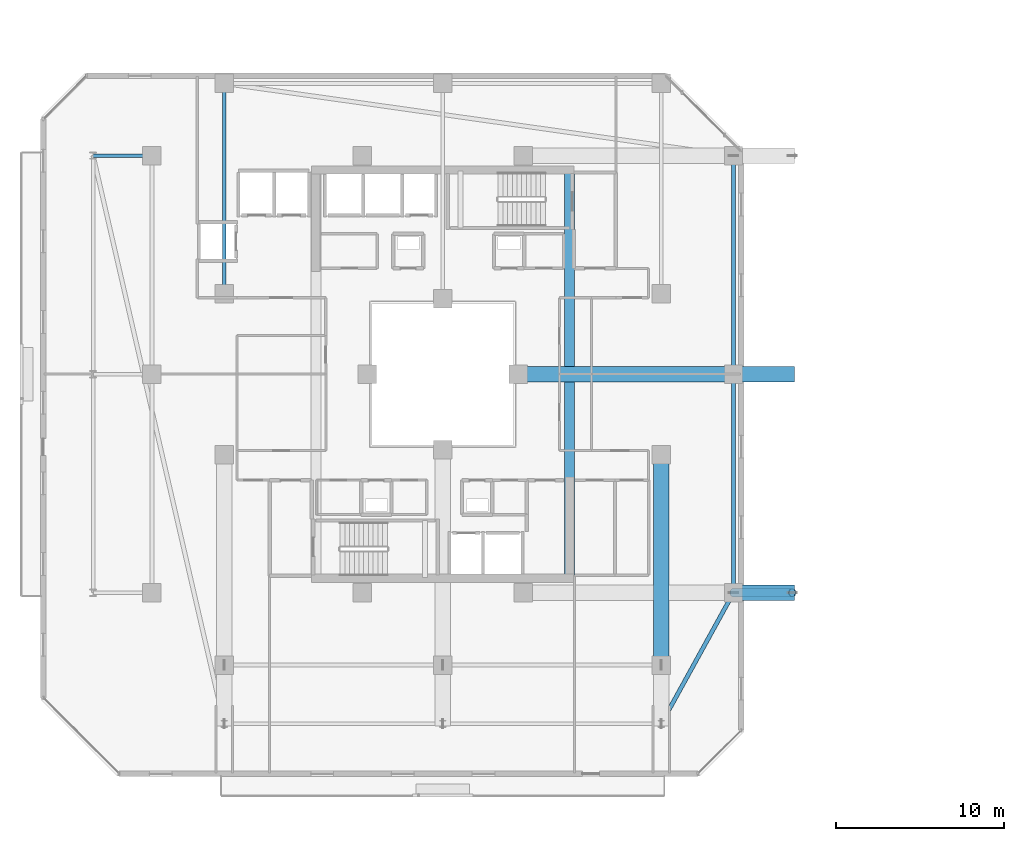
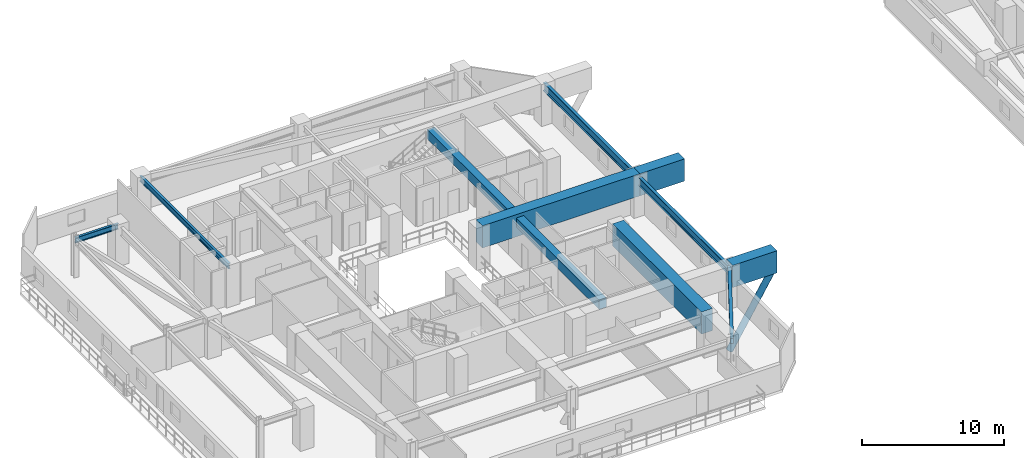
# One storey, part 6 of 35: 10 beams, 1 member.
"""IFC4 building model written with IfcOpenShell, lengths in metres."""

from ifc_helpers import new_model, si_unit, direction, frame, origin, origin_2d, place, context, subcontext, project, spatial, rectangle, hollow_rectangle, hollow_circle, i_section, extrude, material, material_profile, profile_set, type_object, element, save


model = new_model("IFC4")

# Units and contexts
model_context = context("Model", 3, precision=1e-05, world=origin(), true_north=direction((0.0, 1.0)))
body_context = subcontext(model_context, "Body", "Model", "MODEL_VIEW")
ifc_project = project(units=[si_unit("LENGTHUNIT", "METRE"), si_unit("AREAUNIT", "SQUARE_METRE"), si_unit("VOLUMEUNIT", "CUBIC_METRE"), si_unit("PLANEANGLEUNIT", "RADIAN"), si_unit("MASSUNIT", "GRAM", prefix="KILO")], contexts=[model_context])

# Site, building, storey
site_placement = place(None, origin())
site = spatial("IfcSite", under=ifc_project, at=site_placement, CompositionType="ELEMENT")
building_placement = place(site_placement, origin())
building = spatial("IfcBuilding", under=site, at=building_placement, Name="Thornwick Lancets Civic Towers", CompositionType="ELEMENT")
storey_placement = place(building_placement, frame((0.0, 0.0, 145.5)))
storey = spatial("IfcBuildingStorey", under=building, at=storey_placement, Name="L38", CompositionType="ELEMENT", Elevation=145.5)

# Beams
ifc_material_1 = material(Name="Concrete C60/75", Category="concrete")
ifc_material_profile_1 = material_profile(ifc_material_1, rectangle(XDim=0.60009765625, YDim=0.800048828125, at=origin_2d()), Name="RC 600x800")
ifc_profile_set_1 = profile_set([ifc_material_profile_1], Name="Concrete C60/75")
beam_type_1 = type_object("IfcBeamType", Name="BM_COUP_RC800", PredefinedType="BEAM", material=ifc_profile_set_1)
beam_1_placement = place(storey_placement, frame((33.050048828125, 14.89990234375, 2.919921875), z_axis=(0.0, 1.0, 0.0), x_axis=(-1.0, 0.0, 0.0)))
element("IfcBeam", 1, at=beam_1_placement, inside=storey, type_object=beam_type_1, Name="CB-L38-A1", PredefinedType="BEAM", context=body_context, shape_type="SweptSolid", body=[
    extrude(rectangle(XDim=0.60009765625, YDim=0.800048828125, at=origin_2d()), origin(), (0.0, 0.0, 1.0), 24.2001953125),
])
ifc_material_2 = material(Name="Steel S355JR", Category="steel")
ifc_material_profile_2 = material_profile(ifc_material_2, i_section(OverallWidth=0.255859375, OverallDepth=0.69287109375, WebThickness=0.014404296875, FlangeThickness=0.023681640625, FilletRadius=0.01513671875, at=origin_2d()), Name="UKB 686x254x170")
ifc_profile_set_2 = profile_set([ifc_material_profile_2], Name="Steel S355JR")
beam_type_2 = type_object("IfcBeamType", Name="BM_GIRD_686_170", PredefinedType="BEAM", material=ifc_profile_set_2)
beam_2_placement = place(storey_placement, frame((42.800048828125, 14.0, 2.973388671875), z_axis=(0.0, 1.0, 0.0), x_axis=(-1.0, 0.0, 0.0)))
element("IfcBeam", 2, at=beam_2_placement, inside=storey, type_object=beam_type_2, Name="BM-SPINE-L38-A-3-4", PredefinedType="BEAM", context=body_context, shape_type="SweptSolid", body=[
    extrude(i_section(OverallWidth=0.255859375, OverallDepth=0.69287109375, WebThickness=0.014404296875, FlangeThickness=0.023681640625, FilletRadius=0.01513671875, at=origin_2d()), origin(), (0.0, 0.0, 1.0), 13.0),
])
beam_3_placement = place(storey_placement, frame((42.800048828125, 27.080078125, 2.973388671875), z_axis=(0.0, 1.0, 0.0), x_axis=(-1.0, 0.0, 0.0)))
element("IfcBeam", 3, at=beam_3_placement, inside=storey, type_object=beam_type_2, Name="BM-SPINE-L38-A-4-5", PredefinedType="BEAM", context=body_context, shape_type="SweptSolid", body=[
    extrude(i_section(OverallWidth=0.255859375, OverallDepth=0.69287109375, WebThickness=0.014404296875, FlangeThickness=0.023681640625, FilletRadius=0.01513671875, at=origin_2d()), origin(), (0.0, 0.0, 1.0), 12.919921875),
])
ifc_material_profile_3 = material_profile(ifc_material_2, i_section(OverallWidth=0.19189453125, OverallDepth=0.46337890625, WebThickness=0.010498046875, FlangeThickness=0.017578125, FilletRadius=0.01025390625, at=origin_2d()), Name="UKB 457x191x89")
ifc_profile_set_3 = profile_set([ifc_material_profile_3], Name="Steel S355JR")
beam_type_3 = type_object("IfcBeamType", Name="BM_JOIST_457_89", PredefinedType="JOIST", material=ifc_profile_set_3)
beam_4_placement = place(storey_placement, frame((12.5, 31.800048828125, 3.08837890625), z_axis=(0.0, 1.0, 0.0), x_axis=(-1.0, 0.0, 0.0)))
element("IfcBeam", 4, at=beam_4_placement, inside=storey, type_object=beam_type_3, Name="BM-RADIN-L38-A07", PredefinedType="JOIST", context=body_context, shape_type="SweptSolid", body=[
    extrude(i_section(OverallWidth=0.19189453125, OverallDepth=0.46337890625, WebThickness=0.010498046875, FlangeThickness=0.017578125, FilletRadius=0.01025390625, at=origin_2d()), origin(), (0.0, 0.0, 1.0), 12.5),
])
beam_5_placement = place(storey_placement, frame((8.199951171875, 40.0, 3.08837890625), z_axis=(-1.0, 0.0, 0.0), x_axis=(0.0, -1.0, 0.0)))
element("IfcBeam", 5, at=beam_5_placement, inside=storey, type_object=beam_type_3, Name="BM-RAD-L38-A12", PredefinedType="JOIST", context=body_context, shape_type="SweptSolid", body=[
    extrude(i_section(OverallWidth=0.19189453125, OverallDepth=0.46337890625, WebThickness=0.010498046875, FlangeThickness=0.017578125, FilletRadius=0.01025390625, at=origin_2d()), origin(), (0.0, 0.0, 1.0), 3.5),
])
ifc_material_profile_4 = material_profile(ifc_material_2, hollow_rectangle(XDim=0.25, YDim=0.449951171875, WallThickness=0.01611328125, at=origin_2d()), Name="RHS 450x250x16")
ifc_profile_set_4 = profile_set([ifc_material_profile_4], Name="Steel S355JR")
beam_type_4 = type_object("IfcBeamType", Name="BM_RING_RHS450", PredefinedType="BEAM", material=ifc_profile_set_4)
beam_6_placement = place(storey_placement, frame((38.5, 6.199951171875, 3.094970703125), z_axis=(0.482782395749, 0.875740348708, 0.0), x_axis=(-0.875740348708, 0.482782395749, 0.0)))
element("IfcBeam", 6, at=beam_6_placement, inside=storey, type_object=beam_type_4, Name="BM-CHAMF-L38-A-C0", PredefinedType="BEAM", context=body_context, shape_type="SweptSolid", body=[
    extrude(hollow_rectangle(XDim=0.25, YDim=0.449951171875, WallThickness=0.01611328125, at=origin_2d()), origin(), (0.0, 0.0, 1.0), 8.90673828125),
])
ifc_material_profile_5 = material_profile(ifc_material_1, rectangle(XDim=0.89990234375, YDim=1.89990234375, at=origin_2d()), Name="RC 900x1900")
ifc_profile_set_5 = profile_set([ifc_material_profile_5], Name="Concrete C60/75")
beam_type_5 = type_object("IfcBeamType", Name="BM_TR_RC1900", PredefinedType="BEAM", material=ifc_profile_set_5)
beam_7_placement = place(storey_placement, frame((38.5, 22.199951171875, 2.64990234375), z_axis=(0.0, -1.0, 0.0), x_axis=(1.0, 0.0, 0.0)))
element("IfcBeam", 7, at=beam_7_placement, inside=storey, type_object=beam_type_5, Name="TG-BACK-L39-A03", PredefinedType="BEAM", context=body_context, shape_type="SweptSolid", body=[
    extrude(rectangle(XDim=0.89990234375, YDim=1.89990234375, at=origin_2d()), origin(), (0.0, 0.0, 1.0), 12.5),
])
beam_8_placement = place(storey_placement, frame((42.800048828125, 14.0, 2.64990234375), z_axis=(1.0, 0.0, 0.0), x_axis=(0.0, 1.0, 0.0)))
element("IfcBeam", 8, at=beam_8_placement, inside=storey, type_object=beam_type_5, Name="TG-CANT-L39-A04", PredefinedType="BEAM", context=body_context, shape_type="SweptSolid", body=[
    extrude(rectangle(XDim=0.89990234375, YDim=1.89990234375, at=origin_2d()), origin(), (0.0, 0.0, 1.0), 3.619873046875),
])
beam_9_placement = place(storey_placement, frame((30.0, 27.0, 2.64990234375), z_axis=(1.0, 0.0, 0.0), x_axis=(0.0, 1.0, 0.0)))
element("IfcBeam", 9, at=beam_9_placement, inside=storey, type_object=beam_type_5, Name="TG-BACK-L39-A05", PredefinedType="BEAM", context=body_context, shape_type="SweptSolid", body=[
    extrude(rectangle(XDim=0.89990234375, YDim=1.89990234375, at=origin_2d()), origin(), (0.0, 0.0, 1.0), 12.800048828125),
])
beam_10_placement = place(storey_placement, frame((42.800048828125, 27.0, 2.64990234375), z_axis=(1.0, 0.0, 0.0), x_axis=(0.0, 1.0, 0.0)))
element("IfcBeam", 10, at=beam_10_placement, inside=storey, type_object=beam_type_5, Name="TG-CANT-L39-A05", PredefinedType="BEAM", context=body_context, shape_type="SweptSolid", body=[
    extrude(rectangle(XDim=0.89990234375, YDim=1.89990234375, at=origin_2d()), origin(), (0.0, 0.0, 1.0), 3.619873046875),
])

# Member
ifc_material_3 = material(Name="Steel S460M", Category="steel")
ifc_material_profile_6 = material_profile(ifc_material_3, hollow_circle(Radius=0.25390625, WallThickness=0.02490234375, at=origin_2d()), Name="CHS 508x25")
ifc_profile_set_6 = profile_set([ifc_material_profile_6], Name="Steel S460M")
member_type = type_object("IfcMemberType", Name="MEM_STRUT_CHS508", PredefinedType="STRUT", material=ifc_profile_set_6)
member_placement = place(storey_placement, frame((42.800048828125, 14.0, -3.949951171875), z_axis=(0.52127056277, 0.0, 0.853391469602), x_axis=(0.0, 1.0, 0.0)))
element("IfcMember", 11, at=member_placement, inside=storey, type_object=member_type, Name="L39 Jenga Transfer Raking Strut A04", PredefinedType="STRUT", context=body_context, shape_type="SweptSolid", body=[
    extrude(hollow_circle(Radius=0.25390625, WallThickness=0.02490234375, at=origin_2d()), origin(), (0.0, 0.0, 1.0), 6.71435546875),
])

save(model, "model.ifc")
